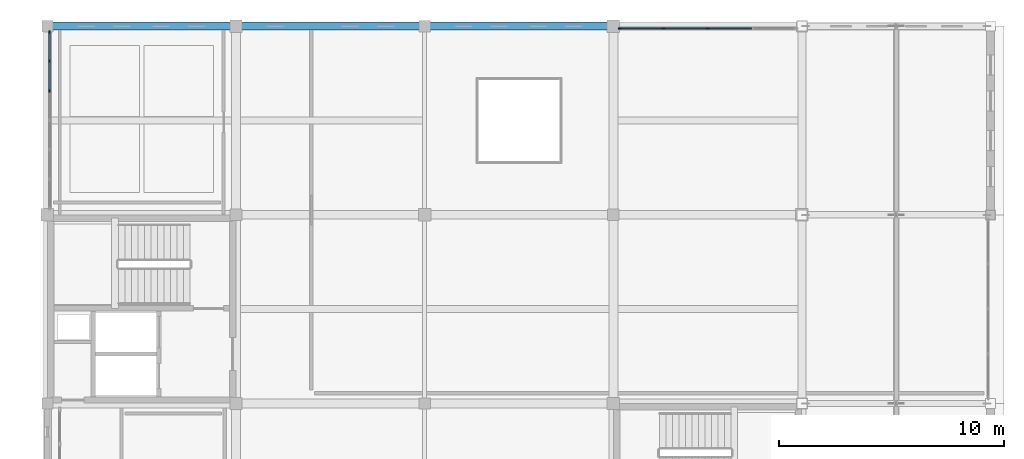
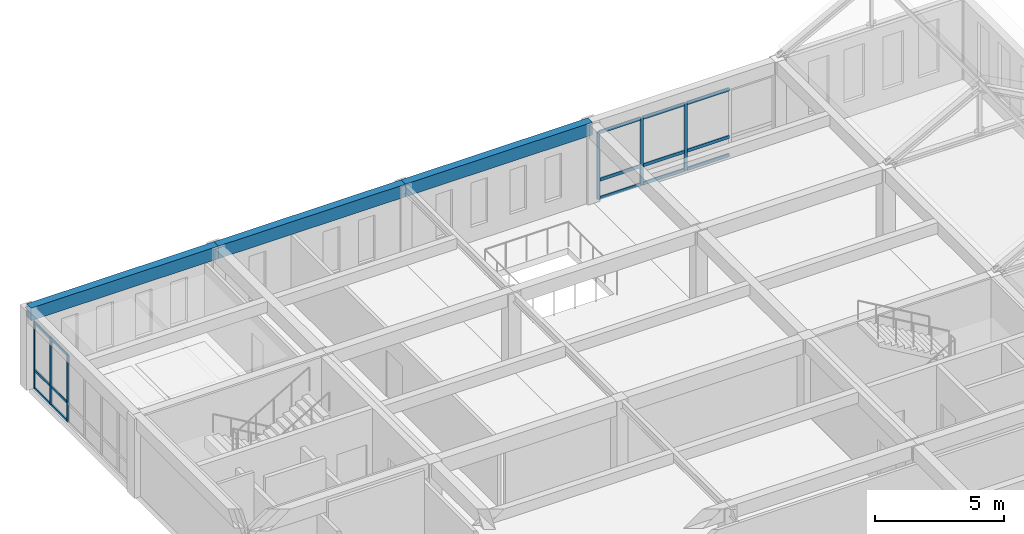
# One storey, part 16 of 36: 21 members, 3 beams, 2 elements without a shape of their own.
"""IFC4 building model written with IfcOpenShell, lengths in metres."""

from ifc_helpers import new_model, si_unit, direction, frame, origin, origin_2d, place, context, subcontext, project, spatial, rectangle, extrude, material, layer, layer_set, material_profile, profile_set, type_object, element, aggregate, save


model = new_model("IFC4")

# Units and contexts
model_context = context("Model", 3, precision=1e-05, world=origin(), true_north=direction((0.0, 1.0)))
body_context = subcontext(model_context, "Body", "Model", "MODEL_VIEW")
ifc_project = project(units=[si_unit("LENGTHUNIT", "METRE"), si_unit("AREAUNIT", "SQUARE_METRE"), si_unit("VOLUMEUNIT", "CUBIC_METRE"), si_unit("PLANEANGLEUNIT", "RADIAN"), si_unit("MASSUNIT", "GRAM", prefix="KILO")], contexts=[model_context])

# Site, building, storey
site_placement = place(None, origin())
site = spatial("IfcSite", under=ifc_project, at=site_placement, CompositionType="ELEMENT")
building_placement = place(site_placement, origin())
building = spatial("IfcBuilding", under=site, at=building_placement, Name="Kveldsbrygga Polytechnic", CompositionType="ELEMENT")
storey_placement = place(building_placement, frame((0.0, 0.0, 22.10009765625)))
storey = spatial("IfcBuildingStorey", under=building, at=storey_placement, Name="L05", CompositionType="ELEMENT", Elevation=22.10009765625)

# Beams
ifc_material_1 = material(Name="Concrete C35/45", Category="concrete")
ifc_material_profile_1 = material_profile(ifc_material_1, rectangle(XDim=0.35009765625, YDim=0.60009765625, at=origin_2d()), Name="RC 350x600")
ifc_profile_set_1 = profile_set([ifc_material_profile_1], Name="Concrete C35/45")
beam_type = type_object("IfcBeamType", Name="BM-SPANDREL-600", PredefinedType="T_BEAM", material=ifc_profile_set_1)
beam_1_placement = place(storey_placement, frame((126.0, 100.800048828125, 3.47998046875), z_axis=(1.0, 0.0, 0.0), x_axis=(0.0, 1.0, 0.0)))
element("IfcBeam", 1, at=beam_1_placement, inside=storey, type_object=beam_type, Name="Primary Beam BMX-L05-15to16-12", PredefinedType="T_BEAM", context=body_context, shape_type="SweptSolid", body=[
    extrude(rectangle(XDim=0.35009765625, YDim=0.60009765625, at=origin_2d()), origin(), (0.0, 0.0, 1.0), 8.39990234375),
])
beam_2_placement = place(storey_placement, frame((134.39990234375, 100.800048828125, 3.47998046875), z_axis=(1.0, 0.0, 0.0), x_axis=(0.0, 1.0, 0.0)))
element("IfcBeam", 2, at=beam_2_placement, inside=storey, type_object=beam_type, Name="Primary Beam BMX-L05-16to17-12", PredefinedType="T_BEAM", context=body_context, shape_type="SweptSolid", body=[
    extrude(rectangle(XDim=0.35009765625, YDim=0.60009765625, at=origin_2d()), origin(), (0.0, 0.0, 1.0), 8.400146484375),
])
beam_3_placement = place(storey_placement, frame((142.800048828125, 100.800048828125, 3.47998046875), z_axis=(1.0, 0.0, 0.0), x_axis=(0.0, 1.0, 0.0)))
element("IfcBeam", 3, at=beam_3_placement, inside=storey, type_object=beam_type, Name="Primary Beam BMX-L05-17to18-12", PredefinedType="T_BEAM", context=body_context, shape_type="SweptSolid", body=[
    extrude(rectangle(XDim=0.35009765625, YDim=0.60009765625, at=origin_2d()), origin(), (0.0, 0.0, 1.0), 8.39990234375),
])

# Curtain wall, members
ifc_material_2 = material(Name="Anodised aluminium AW-6060", Category="aluminium")
ifc_layer_1 = layer(ifc_material_2, 0.179931640625)
ifc_layer_set_1 = layer_set([ifc_layer_1], Name="Anodised aluminium AW-6060")
curtain_wall_type_1 = type_object("IfcCurtainWallType", Name="CW-CONC-A", PredefinedType="USERDEFINED", material=ifc_layer_set_1)
curtain_wall_1_placement = place(storey_placement, origin())
curtain_wall_1 = element("IfcCurtainWall", 4, at=curtain_wall_1_placement, inside=storey, type_object=curtain_wall_type_1, Name="Curtain Wall CW-L05-Y-15-11", ObjectType="UNITISED CURTAIN WALL", PredefinedType="USERDEFINED")
ifc_material_profile_2 = material_profile(ifc_material_2, rectangle(XDim=0.06005859375, YDim=0.139892578125, at=origin_2d()), Name="ALU 60x140")
ifc_profile_set_2 = profile_set([ifc_material_profile_2], Name="Anodised aluminium AW-6060")
member_type_1 = type_object("IfcMemberType", Name="CW-MUL-140", PredefinedType="MULLION", material=ifc_profile_set_2)
member_1_placement = place(storey_placement, frame((126.10009765625, 97.929931640625, 0.0), z_axis=(0.0, 0.0, 1.0), x_axis=(-1.0, 0.0, 0.0)))
member_1 = element("IfcMember", 5, at=member_1_placement, type_object=member_type_1, Name="CW-01 mullion 5", PredefinedType="MULLION", context=body_context, shape_type="SweptSolid", body=[
    extrude(rectangle(XDim=0.06005859375, YDim=0.139892578125, at=origin_2d()), origin(), (0.0, 0.0, 1.0), 3.179931640625),
])
member_2_placement = place(storey_placement, frame((126.10009765625, 99.24755859375, 0.0), z_axis=(0.0, 0.0, 1.0), x_axis=(-1.0, 0.0, 0.0)))
member_2 = element("IfcMember", 6, at=member_2_placement, type_object=member_type_1, Name="CW-01 mullion 6", PredefinedType="MULLION", context=body_context, shape_type="SweptSolid", body=[
    extrude(rectangle(XDim=0.06005859375, YDim=0.139892578125, at=origin_2d()), origin(), (0.0, 0.0, 1.0), 3.179931640625),
])
member_3_placement = place(storey_placement, frame((126.10009765625, 100.534912109375, 0.0), z_axis=(0.0, 0.0, 1.0), x_axis=(-1.0, 0.0, 0.0)))
member_3 = element("IfcMember", 7, at=member_3_placement, type_object=member_type_1, Name="CW-01 mullion 7", PredefinedType="MULLION", context=body_context, shape_type="SweptSolid", body=[
    extrude(rectangle(XDim=0.06005859375, YDim=0.139892578125, at=origin_2d()), origin(), (0.0, 0.0, 1.0), 3.179931640625),
])

ifc_layer_2 = layer(ifc_material_2, 0.199951171875)
ifc_layer_set_2 = layer_set([ifc_layer_2], Name="Anodised aluminium AW-6060")
curtain_wall_type_2 = type_object("IfcCurtainWallType", Name="CW-LANC-E", PredefinedType="USERDEFINED", material=ifc_layer_set_2)
curtain_wall_2_placement = place(storey_placement, origin())
curtain_wall_2 = element("IfcCurtainWall", 8, at=curtain_wall_2_placement, inside=storey, type_object=curtain_wall_type_2, Name="Curtain Wall CW-L05-X-18-12", ObjectType="UNITISED CURTAIN WALL", PredefinedType="USERDEFINED")
member_4_placement = place(storey_placement, frame((151.489990234375, 100.699951171875, 0.0), z_axis=(0.0, 0.0, 1.0), x_axis=(0.0, 1.0, 0.0)))
member_4 = element("IfcMember", 9, at=member_4_placement, type_object=member_type_1, Name="CW-05 mullion 1", PredefinedType="MULLION", context=body_context, shape_type="SweptSolid", body=[
    extrude(rectangle(XDim=0.06005859375, YDim=0.139892578125, at=origin_2d()), origin(), (0.0, 0.0, 1.0), 3.179931640625),
])
member_5_placement = place(storey_placement, frame((153.436279296875, 100.699951171875, 0.0), z_axis=(0.0, 0.0, 1.0), x_axis=(0.0, 1.0, 0.0)))
member_5 = element("IfcMember", 10, at=member_5_placement, type_object=member_type_1, Name="CW-05 mullion 2", PredefinedType="MULLION", context=body_context, shape_type="SweptSolid", body=[
    extrude(rectangle(XDim=0.06005859375, YDim=0.139892578125, at=origin_2d()), origin(), (0.0, 0.0, 1.0), 3.179931640625),
])
member_6_placement = place(storey_placement, frame((155.41259765625, 100.699951171875, 0.0), z_axis=(0.0, 0.0, 1.0), x_axis=(0.0, 1.0, 0.0)))
member_6 = element("IfcMember", 11, at=member_6_placement, type_object=member_type_1, Name="CW-05 mullion 3", PredefinedType="MULLION", context=body_context, shape_type="SweptSolid", body=[
    extrude(rectangle(XDim=0.06005859375, YDim=0.139892578125, at=origin_2d()), origin(), (0.0, 0.0, 1.0), 3.179931640625),
])

# Member
ifc_material_profile_3 = material_profile(ifc_material_2, rectangle(XDim=0.06005859375, YDim=0.1201171875, at=origin_2d()), Name="ALU 60x120")
ifc_profile_set_3 = profile_set([ifc_material_profile_3], Name="Anodised aluminium AW-6060")
member_type_2 = type_object("IfcMemberType", Name="CW-TRN-120", PredefinedType="USERDEFINED", material=ifc_profile_set_3)
member_7_placement = place(storey_placement, frame((126.10009765625, 97.9599609375, 0.02978515625), z_axis=(0.0, 1.0, 0.0), x_axis=(-1.0, 0.0, 0.0)))
member_7 = element("IfcMember", 12, at=member_7_placement, type_object=member_type_2, Name="CW-01 transom 5.1", ObjectType="TRANSOM", PredefinedType="USERDEFINED", context=body_context, shape_type="SweptSolid", body=[
    extrude(rectangle(XDim=0.06005859375, YDim=0.1201171875, at=origin_2d()), origin(), (0.0, 0.0, 1.0), 1.257568359375),
])

member_8_placement = place(storey_placement, frame((126.10009765625, 97.9599609375, 0.89990234375), z_axis=(0.0, 1.0, 0.0), x_axis=(-1.0, 0.0, 0.0)))
member_8 = element("IfcMember", 13, at=member_8_placement, type_object=member_type_2, Name="CW-01 transom 5.2", ObjectType="TRANSOM", PredefinedType="USERDEFINED", context=body_context, shape_type="SweptSolid", body=[
    extrude(rectangle(XDim=0.06005859375, YDim=0.1201171875, at=origin_2d()), origin(), (0.0, 0.0, 1.0), 1.257568359375),
])

member_9_placement = place(storey_placement, frame((126.10009765625, 97.9599609375, 3.14990234375), z_axis=(0.0, 1.0, 0.0), x_axis=(-1.0, 0.0, 0.0)))
member_9 = element("IfcMember", 14, at=member_9_placement, type_object=member_type_2, Name="CW-01 transom 5.3", ObjectType="TRANSOM", PredefinedType="USERDEFINED", context=body_context, shape_type="SweptSolid", body=[
    extrude(rectangle(XDim=0.06005859375, YDim=0.1201171875, at=origin_2d()), origin(), (0.0, 0.0, 1.0), 1.257568359375),
])

member_10_placement = place(storey_placement, frame((126.10009765625, 99.277587890625, 0.02978515625), z_axis=(0.0, 1.0, 0.0), x_axis=(-1.0, 0.0, 0.0)))
member_10 = element("IfcMember", 15, at=member_10_placement, type_object=member_type_2, Name="CW-01 transom 6.1", ObjectType="TRANSOM", PredefinedType="USERDEFINED", context=body_context, shape_type="SweptSolid", body=[
    extrude(rectangle(XDim=0.06005859375, YDim=0.1201171875, at=origin_2d()), origin(), (0.0, 0.0, 1.0), 1.227294921875),
])

member_11_placement = place(storey_placement, frame((126.10009765625, 99.277587890625, 0.89990234375), z_axis=(0.0, 1.0, 0.0), x_axis=(-1.0, 0.0, 0.0)))
member_11 = element("IfcMember", 16, at=member_11_placement, type_object=member_type_2, Name="CW-01 transom 6.2", ObjectType="TRANSOM", PredefinedType="USERDEFINED", context=body_context, shape_type="SweptSolid", body=[
    extrude(rectangle(XDim=0.06005859375, YDim=0.1201171875, at=origin_2d()), origin(), (0.0, 0.0, 1.0), 1.227294921875),
])

member_12_placement = place(storey_placement, frame((126.10009765625, 99.277587890625, 3.14990234375), z_axis=(0.0, 1.0, 0.0), x_axis=(-1.0, 0.0, 0.0)))
member_12 = element("IfcMember", 17, at=member_12_placement, type_object=member_type_2, Name="CW-01 transom 6.3", ObjectType="TRANSOM", PredefinedType="USERDEFINED", context=body_context, shape_type="SweptSolid", body=[
    extrude(rectangle(XDim=0.06005859375, YDim=0.1201171875, at=origin_2d()), origin(), (0.0, 0.0, 1.0), 1.227294921875),
])

aggregate(curtain_wall_1, [member_1, member_2, member_3, member_7, member_8, member_9, member_10, member_11, member_12])

ifc_material_profile_4 = material_profile(ifc_material_2, rectangle(XDim=0.06005859375, YDim=0.14990234375, at=origin_2d()), Name="ALU 60x150")
ifc_profile_set_4 = profile_set([ifc_material_profile_4], Name="Anodised aluminium AW-6060")
member_type_3 = type_object("IfcMemberType", Name="CW-TRN-150", PredefinedType="USERDEFINED", material=ifc_profile_set_4)
member_13_placement = place(storey_placement, frame((151.52001953125, 100.699951171875, 0.02978515625), z_axis=(1.0, 0.0, 0.0), x_axis=(0.0, 1.0, 0.0)))
member_13 = element("IfcMember", 18, at=member_13_placement, type_object=member_type_3, Name="CW-05 transom 1.1", ObjectType="TRANSOM", PredefinedType="USERDEFINED", context=body_context, shape_type="SweptSolid", body=[
    extrude(rectangle(XDim=0.06005859375, YDim=0.14990234375, at=origin_2d()), origin(), (0.0, 0.0, 1.0), 1.88623046875),
])

member_14_placement = place(storey_placement, frame((151.52001953125, 100.699951171875, 0.89990234375), z_axis=(1.0, 0.0, 0.0), x_axis=(0.0, 1.0, 0.0)))
member_14 = element("IfcMember", 19, at=member_14_placement, type_object=member_type_3, Name="CW-05 transom 1.2", ObjectType="TRANSOM", PredefinedType="USERDEFINED", context=body_context, shape_type="SweptSolid", body=[
    extrude(rectangle(XDim=0.06005859375, YDim=0.14990234375, at=origin_2d()), origin(), (0.0, 0.0, 1.0), 1.88623046875),
])

member_15_placement = place(storey_placement, frame((151.52001953125, 100.699951171875, 3.14990234375), z_axis=(1.0, 0.0, 0.0), x_axis=(0.0, 1.0, 0.0)))
member_15 = element("IfcMember", 20, at=member_15_placement, type_object=member_type_3, Name="CW-05 transom 1.3", ObjectType="TRANSOM", PredefinedType="USERDEFINED", context=body_context, shape_type="SweptSolid", body=[
    extrude(rectangle(XDim=0.06005859375, YDim=0.14990234375, at=origin_2d()), origin(), (0.0, 0.0, 1.0), 1.88623046875),
])

member_16_placement = place(storey_placement, frame((153.46630859375, 100.699951171875, 0.02978515625), z_axis=(1.0, 0.0, 0.0), x_axis=(0.0, 1.0, 0.0)))
member_16 = element("IfcMember", 21, at=member_16_placement, type_object=member_type_3, Name="CW-05 transom 2.1", ObjectType="TRANSOM", PredefinedType="USERDEFINED", context=body_context, shape_type="SweptSolid", body=[
    extrude(rectangle(XDim=0.06005859375, YDim=0.14990234375, at=origin_2d()), origin(), (0.0, 0.0, 1.0), 1.916259765625),
])

member_17_placement = place(storey_placement, frame((153.46630859375, 100.699951171875, 0.89990234375), z_axis=(1.0, 0.0, 0.0), x_axis=(0.0, 1.0, 0.0)))
member_17 = element("IfcMember", 22, at=member_17_placement, type_object=member_type_3, Name="CW-05 transom 2.2", ObjectType="TRANSOM", PredefinedType="USERDEFINED", context=body_context, shape_type="SweptSolid", body=[
    extrude(rectangle(XDim=0.06005859375, YDim=0.14990234375, at=origin_2d()), origin(), (0.0, 0.0, 1.0), 1.916259765625),
])

member_18_placement = place(storey_placement, frame((153.46630859375, 100.699951171875, 3.14990234375), z_axis=(1.0, 0.0, 0.0), x_axis=(0.0, 1.0, 0.0)))
member_18 = element("IfcMember", 23, at=member_18_placement, type_object=member_type_3, Name="CW-05 transom 2.3", ObjectType="TRANSOM", PredefinedType="USERDEFINED", context=body_context, shape_type="SweptSolid", body=[
    extrude(rectangle(XDim=0.06005859375, YDim=0.14990234375, at=origin_2d()), origin(), (0.0, 0.0, 1.0), 1.916259765625),
])

member_19_placement = place(storey_placement, frame((155.4423828125, 100.699951171875, 0.02978515625), z_axis=(1.0, 0.0, 0.0), x_axis=(0.0, 1.0, 0.0)))
member_19 = element("IfcMember", 24, at=member_19_placement, type_object=member_type_3, Name="CW-05 transom 3.1", ObjectType="TRANSOM", PredefinedType="USERDEFINED", context=body_context, shape_type="SweptSolid", body=[
    extrude(rectangle(XDim=0.06005859375, YDim=0.14990234375, at=origin_2d()), origin(), (0.0, 0.0, 1.0), 1.916259765625),
])

member_20_placement = place(storey_placement, frame((155.4423828125, 100.699951171875, 0.89990234375), z_axis=(1.0, 0.0, 0.0), x_axis=(0.0, 1.0, 0.0)))
member_20 = element("IfcMember", 25, at=member_20_placement, type_object=member_type_3, Name="CW-05 transom 3.2", ObjectType="TRANSOM", PredefinedType="USERDEFINED", context=body_context, shape_type="SweptSolid", body=[
    extrude(rectangle(XDim=0.06005859375, YDim=0.14990234375, at=origin_2d()), origin(), (0.0, 0.0, 1.0), 1.916259765625),
])

member_21_placement = place(storey_placement, frame((155.4423828125, 100.699951171875, 3.14990234375), z_axis=(1.0, 0.0, 0.0), x_axis=(0.0, 1.0, 0.0)))
member_21 = element("IfcMember", 26, at=member_21_placement, type_object=member_type_3, Name="CW-05 transom 3.3", ObjectType="TRANSOM", PredefinedType="USERDEFINED", context=body_context, shape_type="SweptSolid", body=[
    extrude(rectangle(XDim=0.06005859375, YDim=0.14990234375, at=origin_2d()), origin(), (0.0, 0.0, 1.0), 1.916259765625),
])

aggregate(curtain_wall_2, [member_4, member_5, member_6, member_13, member_14, member_15, member_16, member_17, member_18, member_19, member_20, member_21])

save(model, "model.ifc")
